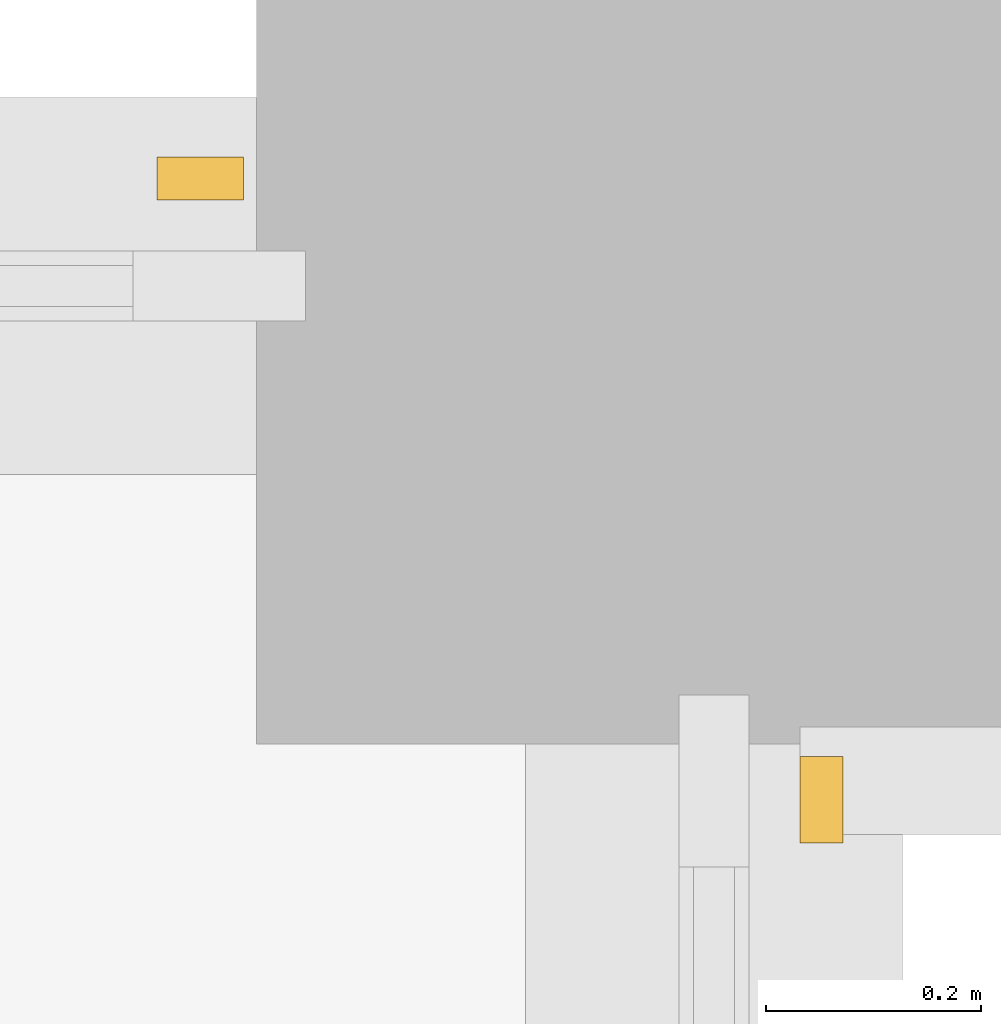
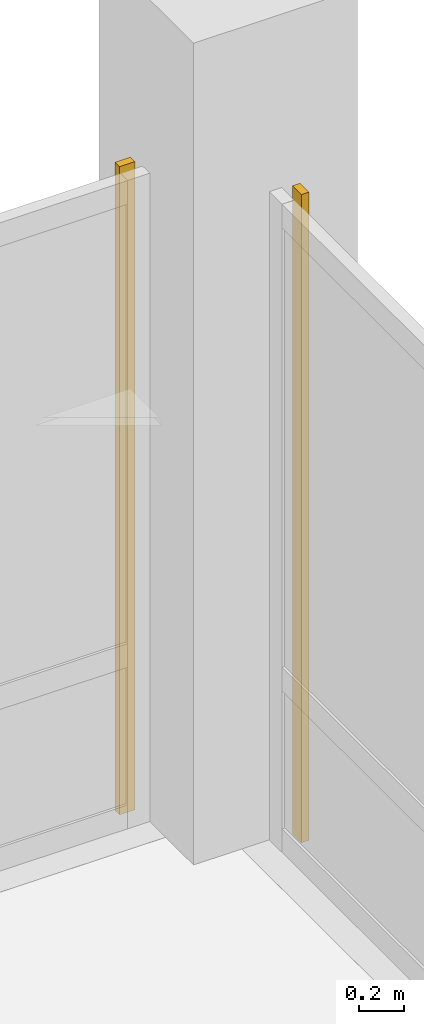
# One storey, part 36 of 36: 2 coverings.
"""IFC4 building model written with IfcOpenShell, lengths in metres."""

from ifc_helpers import new_model, si_unit, direction, frame, origin, origin_2d, place, context, subcontext, project, spatial, rectangle, extrude, material, layer, layer_set, type_object, element, save


model = new_model("IFC4")

# Units and contexts
model_context = context("Model", 3, precision=1e-05, world=origin(), true_north=direction((0.0, 1.0)))
body_context = subcontext(model_context, "Body", "Model", "MODEL_VIEW")
ifc_project = project(units=[si_unit("LENGTHUNIT", "METRE"), si_unit("AREAUNIT", "SQUARE_METRE"), si_unit("VOLUMEUNIT", "CUBIC_METRE"), si_unit("PLANEANGLEUNIT", "RADIAN"), si_unit("MASSUNIT", "GRAM", prefix="KILO")], contexts=[model_context])

# Site, building, storey
site_placement = place(None, origin())
site = spatial("IfcSite", under=ifc_project, at=site_placement, CompositionType="ELEMENT")
building_placement = place(site_placement, origin())
building = spatial("IfcBuilding", under=site, at=building_placement, Name="Telukmera Botanical Conservatory", CompositionType="ELEMENT")
storey_placement = place(building_placement, frame((0.0, 0.0, 24.0)))
storey = spatial("IfcBuildingStorey", under=building, at=storey_placement, Name="L05", CompositionType="ELEMENT", Elevation=24.0)

# Coverings
ifc_material = material(Name="Granite-faced precast concrete C40/50", Category="masonry")
ifc_layer = layer(ifc_material, 0.0400390625)
ifc_layer_set = layer_set([ifc_layer], Name="Granite-faced precast concrete C40/50")
covering_type = type_object("IfcCoveringType", Name="Granite Precast Column Pier Reveal Casing", PredefinedType="CLADDING", material=ifc_layer_set)
for number, where, z_axis, x_axis, name in (
    (1, (108.722900390625, 42.89990234375, 0.0), (0.0, 0.0, 1.0), (1.0, 0.0, 0.0), "Granite Pier Reveal V4:L05:N7 R"),
    (2, (109.300048828125, 42.322998046875, 0.0), (0.0, 0.0, 1.0), (0.0, 1.0, 0.0), "Granite Pier Reveal V4:L05:E4 R"),
):
    element("IfcCovering", number, at=place(storey_placement, frame(where, z_axis=z_axis, x_axis=x_axis)), inside=storey, type_object=covering_type, Name=name, PredefinedType="CLADDING", context=body_context, shape_type="SweptSolid", body=[
        extrude(rectangle(XDim=0.080078125, YDim=0.0400390625, at=origin_2d()), origin(), (0.0, 0.0, 1.0), 3.550048828125),
    ])

save(model, "model.ifc")
